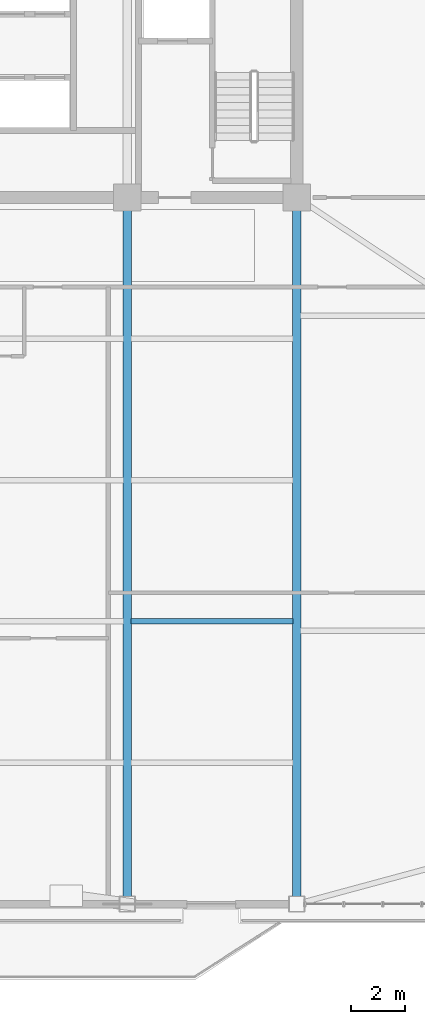
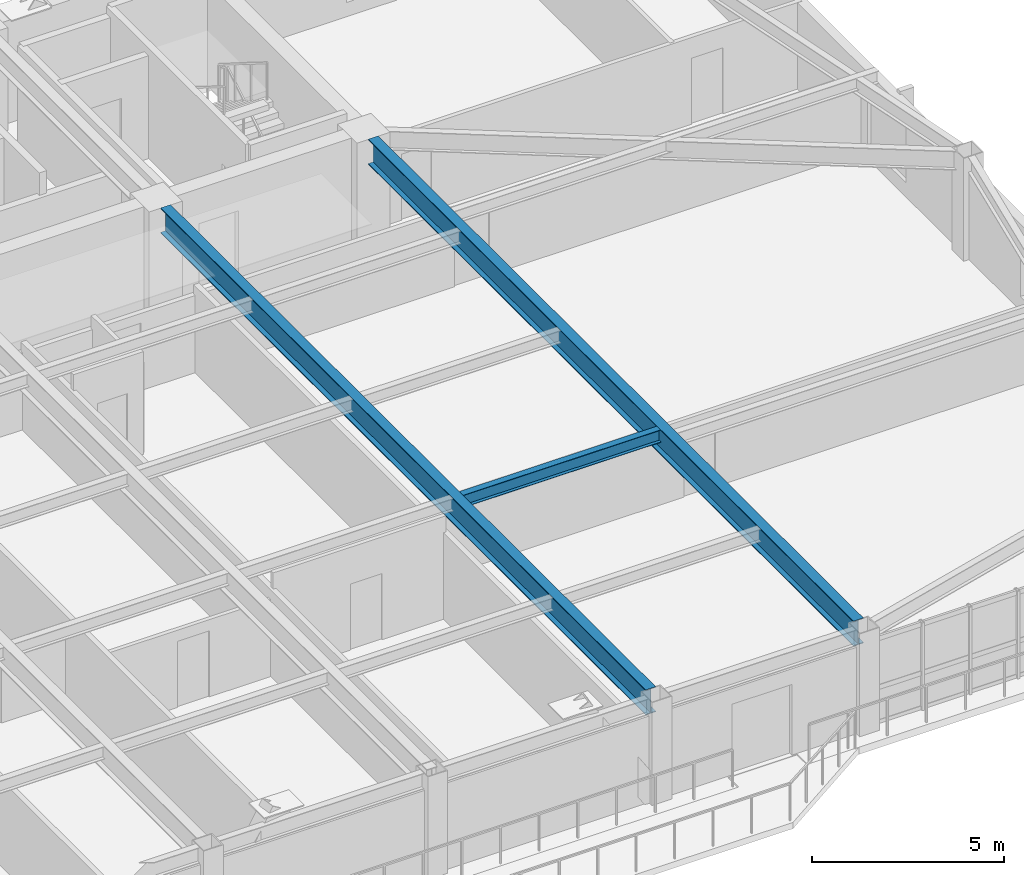
# One storey, part 5 of 17: 3 beams.
"""IFC4 building model written with IfcOpenShell, lengths in metres."""

from ifc_helpers import new_model, si_unit, direction, frame, origin, origin_2d, place, context, subcontext, project, spatial, i_section, extrude, source, transform, mapped, material, material_profile, profile_set, type_object, element, save


model = new_model("IFC4")

# Units and contexts
model_context = context("Model", 3, precision=1e-05, world=origin(), true_north=direction((0.0, 1.0)))
body_context = subcontext(model_context, "Body", "Model", "MODEL_VIEW")
ifc_project = project(units=[si_unit("LENGTHUNIT", "METRE"), si_unit("AREAUNIT", "SQUARE_METRE"), si_unit("VOLUMEUNIT", "CUBIC_METRE"), si_unit("PLANEANGLEUNIT", "RADIAN"), si_unit("MASSUNIT", "GRAM", prefix="KILO")], contexts=[model_context])

# Site, building, storey
site_placement = place(None, origin())
site = spatial("IfcSite", under=ifc_project, at=site_placement, CompositionType="ELEMENT")
building_placement = place(site_placement, origin())
building = spatial("IfcBuilding", under=site, at=building_placement, Name="Giltprow Tower", CompositionType="ELEMENT")
storey_placement = place(building_placement, frame((0.0, 0.0, 202.699951171875)))
storey = spatial("IfcBuildingStorey", under=building, at=storey_placement, Name="L51", CompositionType="ELEMENT", Elevation=202.699951171875)

# Beams
ifc_material = material(Name="Structural steel Q355B", Category="steel")
ifc_material_profile_1 = material_profile(ifc_material, i_section(OverallWidth=0.300048828125, OverallDepth=0.800048828125, WebThickness=0.013916015625, FlangeThickness=0.02587890625, at=origin_2d()), Name="HN 800x300x14x26")
ifc_profile_set_1 = profile_set([ifc_material_profile_1], Name="Structural steel Q355B")
beam_type_1 = type_object("IfcBeamType", Name="BM-GIRD-HN800", PredefinedType="BEAM", material=ifc_profile_set_1)
shared_shape_1 = source(origin(), body_context, "Body", "SweptSolid", [
    extrude(i_section(OverallWidth=0.300048828125, OverallDepth=0.800048828125, WebThickness=0.013916015625, FlangeThickness=0.02587890625, at=origin_2d()), origin(), (0.0, 0.0, 1.0), 25.294189453125),
])
for number, where, z_axis, x_axis, name in (
    (1, (44.300048828125, 11.6708984375, 2.8701171875), (0.0, 1.0, 0.0), (-1.0, 0.0, 0.0), "L51 Primary Lease Girder S3"),
    (2, (50.550048828125, 11.6708984375, 2.8701171875), (0.0, 1.0, 0.0), (-1.0, 0.0, 0.0), "L51 Primary Lease Girder S4"),
):
    element("IfcBeam", number, at=place(storey_placement, frame(where, z_axis=z_axis, x_axis=x_axis)), inside=storey, type_object=beam_type_1, Name=name, PredefinedType="BEAM", context=body_context, shape_type="MappedRepresentation", body=[
        mapped(shared_shape_1, transform((0.0, 0.0, 0.0), x_axis=(1.0, 0.0, 0.0), y_axis=(0.0, 1.0, 0.0), z_axis=(0.0, 0.0, 1.0), scale=1.0)),
    ])
ifc_material_profile_2 = material_profile(ifc_material, i_section(OverallWidth=0.199951171875, OverallDepth=0.39990234375, WebThickness=0.008056640625, FlangeThickness=0.012939453125, at=origin_2d()), Name="HN 400x200x8x13")
ifc_profile_set_2 = profile_set([ifc_material_profile_2], Name="Structural steel Q355B")
beam_type_2 = type_object("IfcBeamType", Name="BM-JOIST-HN400", PredefinedType="JOIST", material=ifc_profile_set_2)
shared_shape_2 = source(origin(), body_context, "Body", "SweptSolid", [
    extrude(i_section(OverallWidth=0.199951171875, OverallDepth=0.39990234375, WebThickness=0.008056640625, FlangeThickness=0.012939453125, at=origin_2d()), origin(), (0.0, 0.0, 1.0), 5.9599609375),
])
beam_placement = place(storey_placement, frame((44.445068359375, 21.81201171875, 3.070068359375), z_axis=(1.0, 0.0, 0.0), x_axis=(0.0, 1.0, 0.0)))
element("IfcBeam", 3, at=beam_placement, inside=storey, type_object=beam_type_2, Name="L51 Composite Floor Joist 2-4", PredefinedType="JOIST", context=body_context, shape_type="MappedRepresentation", body=[
    mapped(shared_shape_2, transform((0.0, 0.0, 0.0), x_axis=(1.0, 0.0, 0.0), y_axis=(0.0, 1.0, 0.0), z_axis=(0.0, 0.0, 1.0), scale=1.0)),
])

save(model, "model.ifc")
